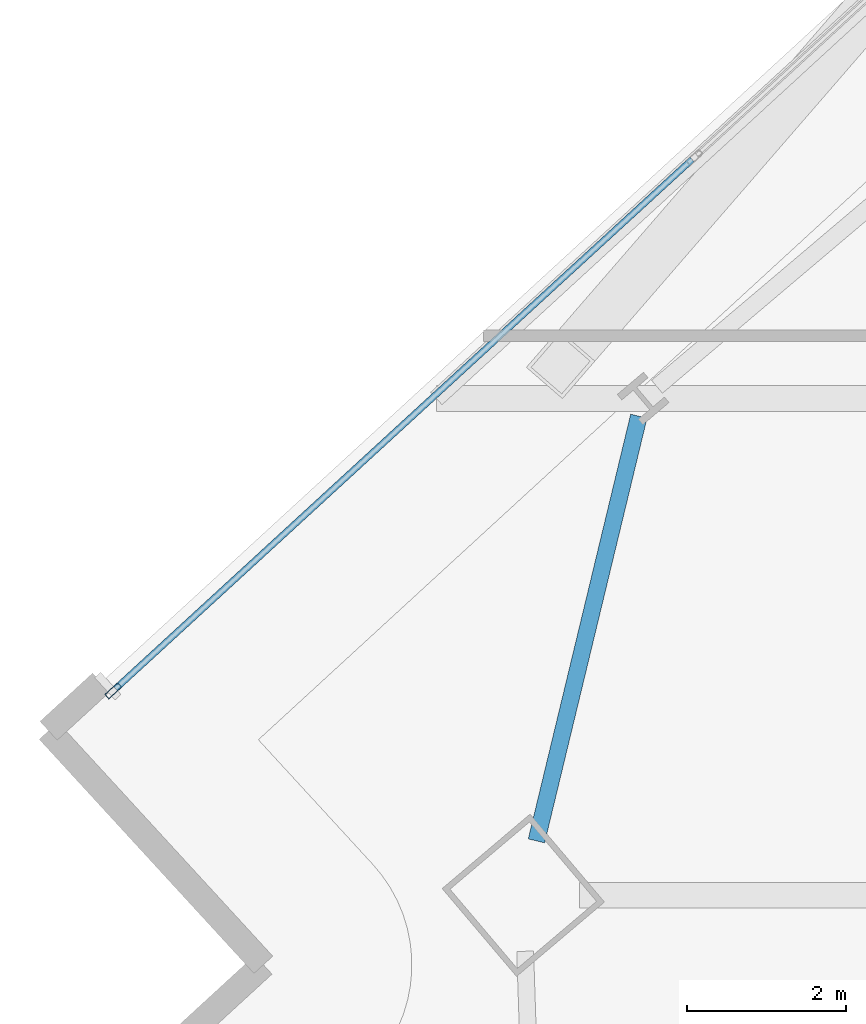
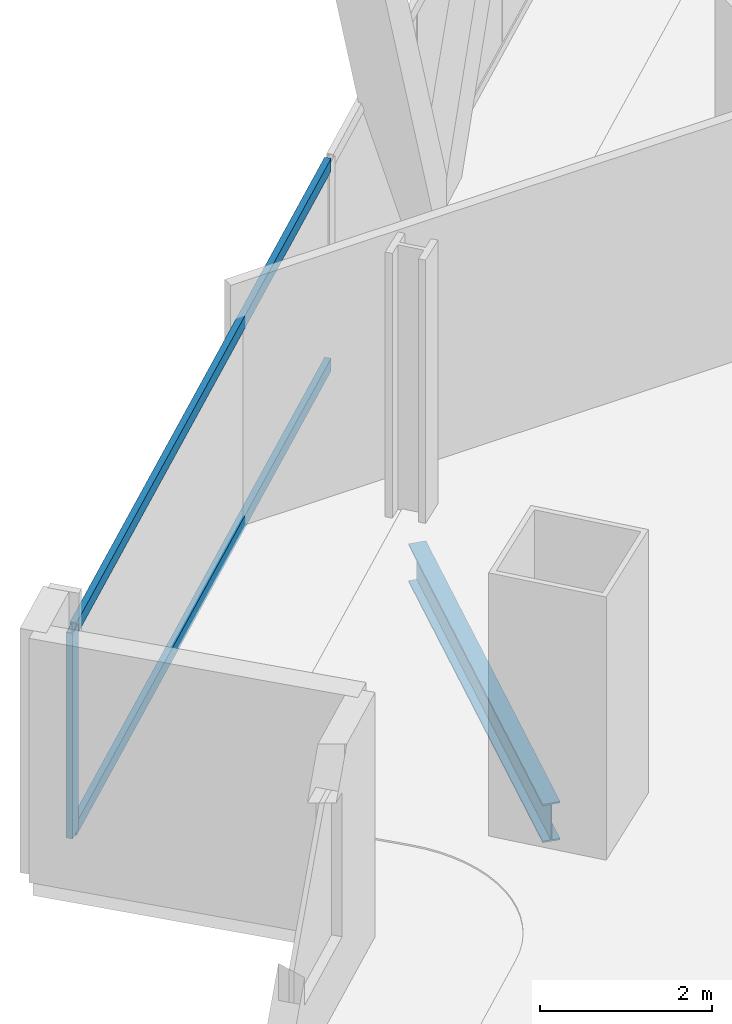
# One storey, part 13 of 32: 3 members, 1 beam, 1 element without a shape of its own.
"""IFC4 building model written with IfcOpenShell, lengths in metres."""

import ifcopenshell
import ifcopenshell.guid

model = None  # the IFC model being written
_history = None  # IfcOwnerHistory: only IFC2X3 demands one
_inside = {}  # id of a spatial element -> (the spatial element, [elements in it])
_under = {}  # id of a project, library or spatial element -> (it, [spatial elements below it])
_declared = {}  # id of a project -> (the project, [libraries it declares])
_typed = {}  # id of a type object -> (the type object, [elements of that type])
_made_of = {}  # id of a material, layer set ... -> (it, [elements and type objects made of it])


def new_model(schema):
    """Start an empty IFC model of exactly this schema.

    Asked for "IFC4X3", IfcOpenShell would pick the latest addendum, in which some entities
    have other attributes; the version numbers below select the first issue.
    IFC2X3 requires an IfcOwnerHistory on every rooted entity: one is made here for all.
    """
    global model, _history
    if schema == "IFC4X3":
        model = ifcopenshell.file(schema_version=(4, 3, 0, 0))
    else:
        model = ifcopenshell.file(schema=schema)
    _inside.clear()
    _under.clear()
    _declared.clear()
    _typed.clear()
    _made_of.clear()
    _history = None
    if model.schema == "IFC2X3":
        org = make("IfcOrganization", Name="unknown")
        user = make(
            "IfcPersonAndOrganization",
            ThePerson=make("IfcPerson", FamilyName="unknown"),
            TheOrganization=org,
        )
        app = make(
            "IfcApplication",
            ApplicationDeveloper=org,
            Version="unknown",
            ApplicationFullName="unknown",
            ApplicationIdentifier="unknown",
        )
        _history = make(
            "IfcOwnerHistory",
            OwningUser=user,
            OwningApplication=app,
            ChangeAction="ADDED",
            CreationDate=0,
        )
    return model


def make(cls, **values):
    """One entity of the class cls with the attributes given. An attribute that is None is left unset."""
    return model.create_entity(
        cls, **{name: value for name, value in values.items() if value is not None}
    )


def rooted(cls, **values):
    """An entity with a GlobalId (a new one), such as an element, a storey or a relation."""
    return make(cls, GlobalId=ifcopenshell.guid.new(), OwnerHistory=_history, **values)


def si_unit(unit_type, name, prefix=None):
    """IfcSIUnit, for example si_unit("LENGTHUNIT", "METRE", prefix="MILLI")."""
    return make("IfcSIUnit", UnitType=unit_type, Prefix=prefix, Name=name)


def assignment(units):
    """IfcUnitAssignment: the units of a project."""
    return None if units is None else make("IfcUnitAssignment", Units=units)


def point(xyz):
    """IfcCartesianPoint."""
    return None if xyz is None else make("IfcCartesianPoint", Coordinates=xyz)


def direction(xyz):
    """IfcDirection."""
    return None if xyz is None else make("IfcDirection", DirectionRatios=xyz)


def frame(location, z_axis=None, x_axis=None):
    """IfcAxis2Placement3D, a coordinate frame: its origin and axes. An axis left out is left unset."""
    return make(
        "IfcAxis2Placement3D",
        Location=point(location),
        Axis=direction(z_axis),
        RefDirection=direction(x_axis),
    )


def frame_2d(location, x_axis=None):
    """IfcAxis2Placement2D, a coordinate frame in the plane: its origin and x axis."""
    return make(
        "IfcAxis2Placement2D", Location=point(location), RefDirection=direction(x_axis)
    )


def origin():
    """The frame at (0, 0, 0) with its axes left unset."""
    return frame((0.0, 0.0, 0.0))


def origin_2d():
    """The frame at (0, 0) in the plane with its x axis left unset."""
    return frame_2d((0.0, 0.0))


def place(relative_to, where):
    """IfcLocalPlacement: puts the frame where relative to a parent placement (None: the world)."""
    return make(
        "IfcLocalPlacement", PlacementRelTo=relative_to, RelativePlacement=where
    )


def context(
    kind, dimensions, precision=None, world=None, true_north=None, identifier=None
):
    """IfcGeometricRepresentationContext, for example the 3D "Model" context."""
    return make(
        "IfcGeometricRepresentationContext",
        ContextIdentifier=identifier,
        ContextType=kind,
        CoordinateSpaceDimension=dimensions,
        Precision=precision,
        WorldCoordinateSystem=world,
        TrueNorth=true_north,
    )


def subcontext(parent, identifier, kind, view, scale=None):
    """IfcGeometricRepresentationSubContext, for example "Body" below "Model"."""
    return make(
        "IfcGeometricRepresentationSubContext",
        ContextIdentifier=identifier,
        ContextType=kind,
        ParentContext=parent,
        TargetScale=scale,
        TargetView=view,
    )


def project(units=None, contexts=None):
    """IfcProject with its units and contexts."""
    return rooted(
        "IfcProject",
        Name="project",
        RepresentationContexts=contexts,
        UnitsInContext=assignment(units),
    )


def spatial(cls, under=None, at=None, **own):
    """A site, building, storey or space (cls), placed at a placement, below another one or the project."""
    s = rooted(cls, ObjectPlacement=at, **own)
    if under is not None:
        _under.setdefault(under.id(), (under, []))[1].append(s)
    return s


def profile(cls, at=None, kind="AREA", **sizes):
    """A parametric profile (cls). Its sizes go by their IFC names, for example OverallWidth=200.0."""
    return make(cls, ProfileType=kind, Position=at, **sizes)


def hollow_rectangle(**sizes):
    """IfcRectangleHollowProfileDef."""
    return profile("IfcRectangleHollowProfileDef", **sizes)


def i_section(**sizes):
    """IfcIShapeProfileDef."""
    return profile("IfcIShapeProfileDef", **sizes)


def extrude(swept, where, along, depth):
    """IfcExtrudedAreaSolid: the profile swept, set in the frame where, extruded along a direction by depth."""
    return make(
        "IfcExtrudedAreaSolid",
        SweptArea=swept,
        Position=where,
        ExtrudedDirection=direction(along),
        Depth=depth,
    )


def shape(context_of_items, identifier, shape_type, items):
    """IfcShapeRepresentation: the items that make up one representation, for example the "Body"."""
    return make(
        "IfcShapeRepresentation",
        ContextOfItems=context_of_items,
        RepresentationIdentifier=identifier,
        RepresentationType=shape_type,
        Items=items,
    )


def material(Name=None, Category=None):
    """IfcMaterial."""
    return make("IfcMaterial", Name=Name, Category=Category)


def material_profile(
    of_material, cross_section, Name=None, Category=None, Priority=None
):
    """IfcMaterialProfile: a cross section and its material."""
    return make(
        "IfcMaterialProfile",
        Name=Name,
        Material=of_material,
        Profile=cross_section,
        Priority=Priority,
        Category=Category,
    )


def profile_set(profiles, Name=None, composite=None):
    """IfcMaterialProfileSet."""
    return make(
        "IfcMaterialProfileSet",
        Name=Name,
        MaterialProfiles=profiles,
        CompositeProfile=composite,
    )


def made_of(thing, what):
    """Note that an element or type object is made of a material, layer set ...; save() writes the relation."""
    if what is not None:
        _made_of.setdefault(what.id(), (what, []))[1].append(thing)
    return thing


def type_object(cls, material=None, **own):
    """A type object (cls), such as IfcWallType, which elements share."""
    return made_of(rooted(cls, **own), material)


def element(
    cls,
    number,
    at=None,
    inside=None,
    cuts=None,
    type_object=None,
    material=None,
    context=None,
    identifier="Body",
    shape_type=None,
    held_by="IfcProductDefinitionShape",
    body=None,
    shapes=None,
    **own,
):
    """One element of the class cls, such as IfcWall. Its Tag is "e" and its number.

    at: its placement. inside: the storey or other place that contains it. cuts: it is an
    opening in that element (IfcRelVoidsElement). A single representation is given by context,
    identifier, shape_type and body (its items); several are given by shapes. held_by: the class
    of the entity that holds the representations. save() writes the other relations.
    """
    e = rooted(cls, Tag="e%d" % number, ObjectPlacement=at, **own)
    if body is not None:
        shapes = [shape(context, identifier, shape_type, body)]
    if shapes is not None:
        e.Representation = make(held_by, Representations=shapes)
    if inside is not None:
        _inside.setdefault(inside.id(), (inside, []))[1].append(e)
    if cuts is not None:
        rooted(
            "IfcRelVoidsElement", RelatingBuildingElement=cuts, RelatedOpeningElement=e
        )
    if type_object is not None:
        _typed.setdefault(type_object.id(), (type_object, []))[1].append(e)
    return made_of(e, material)


def aggregate(whole, parts):
    """IfcRelAggregates: a whole, such as a stair, and the parts it consists of."""
    return rooted("IfcRelAggregates", RelatingObject=whole, RelatedObjects=parts)


def save(model, path):
    """Write the relations noted so far, then the file.

    IfcRelAggregates (storeys below a building ...), IfcRelContainedInSpatialStructure (elements
    in a storey), IfcRelDefinesByType, IfcRelAssociatesMaterial and IfcRelDeclares: one each for
    every whole, place, type object, material and project.
    """
    for whole, parts in _under.values():
        aggregate(whole, parts)
    for where, things in _inside.values():
        rooted(
            "IfcRelContainedInSpatialStructure",
            RelatedElements=things,
            RelatingStructure=where,
        )
    for kind, things in _typed.values():
        rooted("IfcRelDefinesByType", RelatedObjects=things, RelatingType=kind)
    for what, things in _made_of.values():
        rooted("IfcRelAssociatesMaterial", RelatedObjects=things, RelatingMaterial=what)
    for by, libraries in _declared.values():
        rooted("IfcRelDeclares", RelatingContext=by, RelatedDefinitions=libraries)
    model.write(path)


model = new_model("IFC4")

# Units and contexts
model_context = context("Model", 3, precision=1e-05, world=origin(), true_north=direction((0.0, 1.0)))
body_context = subcontext(model_context, "Body", "Model", "MODEL_VIEW")
ifc_project = project(units=[si_unit("LENGTHUNIT", "METRE"), si_unit("AREAUNIT", "SQUARE_METRE"), si_unit("VOLUMEUNIT", "CUBIC_METRE"), si_unit("PLANEANGLEUNIT", "RADIAN"), si_unit("MASSUNIT", "GRAM", prefix="KILO")], contexts=[model_context])

# Site, building, storey
site_placement = place(None, origin())
site = spatial("IfcSite", under=ifc_project, at=site_placement, CompositionType="ELEMENT")
building_placement = place(site_placement, origin())
building = spatial("IfcBuilding", under=site, at=building_placement, Name="Haldenkirk Collegiate Tower", CompositionType="ELEMENT")
storey_placement = place(building_placement, frame((0.0, 0.0, 170.699951171875)))
storey = spatial("IfcBuildingStorey", under=building, at=storey_placement, Name="L42", CompositionType="ELEMENT", Elevation=170.699951171875)

# Beam
ifc_material_1 = material(Name="Steel ASTM A992 Grade 50", Category="steel")
ifc_material_profile_1 = material_profile(ifc_material_1, i_section(OverallWidth=0.2119140625, OverallDepth=0.5439453125, WebThickness=0.01318359375, FlangeThickness=0.021240234375, at=origin_2d()), Name="W21X83")
ifc_profile_set_1 = profile_set([ifc_material_profile_1], Name="Steel ASTM A992 Grade 50")
beam_type = type_object("IfcBeamType", Name="BM-SPANDREL-W21X83", PredefinedType="SPANDREL", material=ifc_profile_set_1)
beam_placement = place(storey_placement, frame((12.21630859375, 33.137451171875, -0.56201171875), z_axis=(-0.234477140293, -0.972121633686, 0.0), x_axis=(0.972121633686, -0.234477140293, 0.0)))
element("IfcBeam", 1, at=beam_placement, inside=storey, type_object=beam_type, Name="L42 perimeter spandrel beam 12", PredefinedType="SPANDREL", context=body_context, shape_type="SweptSolid", body=[
    extrude(i_section(OverallWidth=0.2119140625, OverallDepth=0.5439453125, WebThickness=0.01318359375, FlangeThickness=0.021240234375, at=origin_2d()), origin(), (0.0, 0.0, 1.0), 5.501708984375),
])

# Curtain wall, members
ifc_material_2 = material(Name="Anodised architectural bronze aluminium", Category="aluminium")
curtain_wall_type = type_object("IfcCurtainWallType", Name="CW-SYS1-CONVEX-LOW", PredefinedType="USERDEFINED", material=ifc_material_2)
curtain_wall_placement = place(storey_placement, origin())
curtain_wall = element("IfcCurtainWall", 2, at=curtain_wall_placement, inside=storey, type_object=curtain_wall_type, Name="L42 Lower tower convex bronze-framed unitised curtain wall", ObjectType="UNITISED CURTAIN WALL", PredefinedType="USERDEFINED")
ifc_material_profile_2 = material_profile(ifc_material_2, hollow_rectangle(XDim=0.080078125, YDim=0.219970703125, WallThickness=0.0048828125, at=origin_2d()), Name="CW-MUL-1A")
ifc_profile_set_2 = profile_set([ifc_material_profile_2], Name="Anodised architectural bronze aluminium")
member_type_1 = type_object("IfcMemberType", Name="CW-MUL-1A", PredefinedType="MULLION", material=ifc_profile_set_2)
member_1_placement = place(storey_placement, frame((5.5966796875, 29.678955078125, 0.0), z_axis=(0.0, 0.0, 1.0), x_axis=(-0.676232341046, 0.736688415087, 0.0)))
member_1 = element("IfcMember", 3, at=member_1_placement, type_object=member_type_1, Name="CW-1A mullion 1", PredefinedType="MULLION", context=body_context, shape_type="SweptSolid", body=[
    extrude(hollow_rectangle(XDim=0.080078125, YDim=0.219970703125, WallThickness=0.0048828125, at=origin_2d()), origin(), (0.0, 0.0, 1.0), 2.9111328125),
])
ifc_material_profile_3 = material_profile(ifc_material_2, hollow_rectangle(XDim=0.080078125, YDim=0.179931640625, WallThickness=0.0048828125, at=origin_2d()), Name="CW-TRN-1A")
ifc_profile_set_3 = profile_set([ifc_material_profile_3], Name="Anodised architectural bronze aluminium")
member_type_2 = type_object("IfcMemberType", Name="CW-TRN-1A", PredefinedType="USERDEFINED", material=ifc_profile_set_3)
member_2_placement = place(storey_placement, frame((5.6259765625, 29.7060546875, 0.0400390625), z_axis=(0.73668401685, 0.67623713246, 0.0), x_axis=(-0.67623713246, 0.73668401685, 0.0)))
member_2 = element("IfcMember", 4, at=member_2_placement, type_object=member_type_2, Name="CW-1A transom 1.1", ObjectType="TRANSOM", PredefinedType="USERDEFINED", context=body_context, shape_type="SweptSolid", body=[
    extrude(hollow_rectangle(XDim=0.080078125, YDim=0.179931640625, WallThickness=0.0048828125, at=origin_2d()), origin(), (0.0, 0.0, 1.0), 9.85498046875),
])
member_3_placement = place(storey_placement, frame((5.6259765625, 29.7060546875, 2.87109375), z_axis=(0.73668401685, 0.67623713246, 0.0), x_axis=(-0.67623713246, 0.73668401685, 0.0)))
member_3 = element("IfcMember", 5, at=member_3_placement, type_object=member_type_2, Name="CW-1A transom 1.2", ObjectType="TRANSOM", PredefinedType="USERDEFINED", context=body_context, shape_type="SweptSolid", body=[
    extrude(hollow_rectangle(XDim=0.080078125, YDim=0.179931640625, WallThickness=0.0048828125, at=origin_2d()), origin(), (0.0, 0.0, 1.0), 9.85498046875),
])
aggregate(curtain_wall, [member_1, member_2, member_3])

save(model, "model.ifc")
